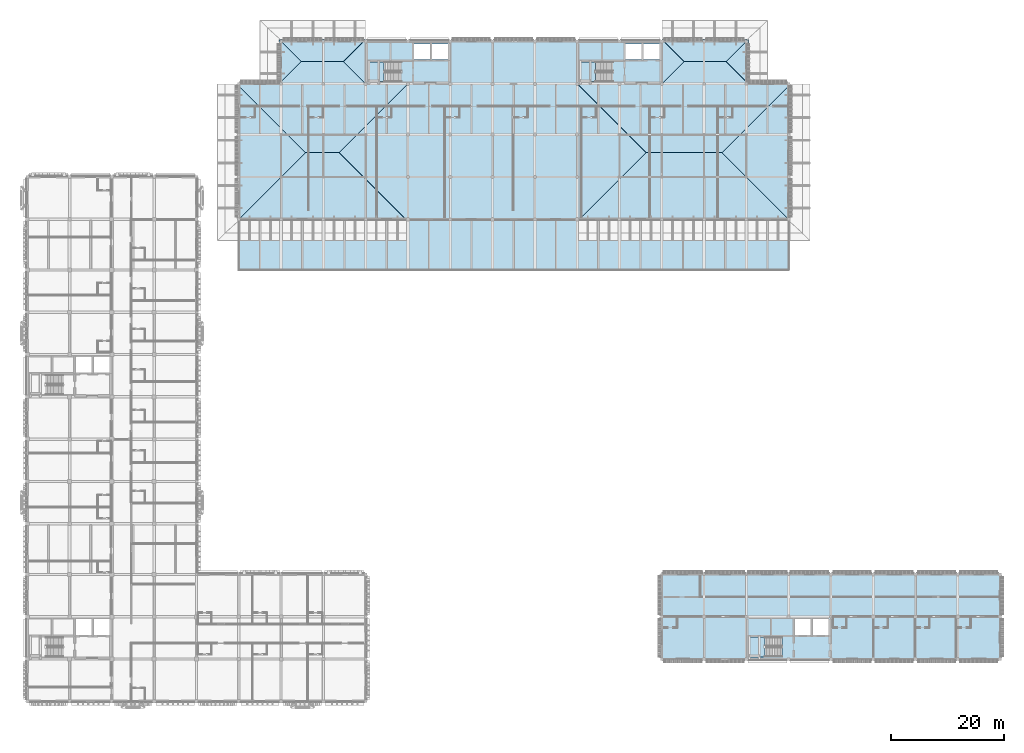
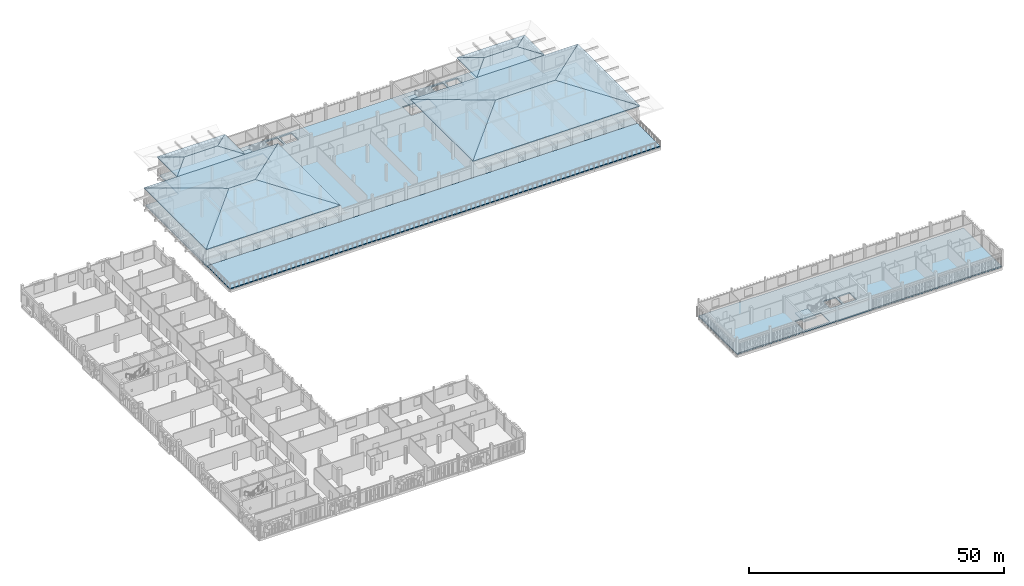
# One storey, part 14 of 48: 22 slabs, 7 elements without a shape of their own.
"""IFC4 building model written with IfcOpenShell, lengths in metres."""

from ifc_helpers import new_model, si_unit, direction, frame, origin, place, context, subcontext, project, spatial, polyline, outline, extrude, material, layer, layer_set, type_object, element, aggregate, save


model = new_model("IFC4")

# Units and contexts
model_context = context("Model", 3, precision=1e-05, world=origin(), true_north=direction((0.0, 1.0)))
body_context = subcontext(model_context, "Body", "Model", "MODEL_VIEW")
ifc_project = project(units=[si_unit("LENGTHUNIT", "METRE"), si_unit("AREAUNIT", "SQUARE_METRE"), si_unit("VOLUMEUNIT", "CUBIC_METRE"), si_unit("PLANEANGLEUNIT", "RADIAN"), si_unit("MASSUNIT", "GRAM", prefix="KILO")], contexts=[model_context])

# Site, building, storey
site_placement = place(None, origin())
site = spatial("IfcSite", under=ifc_project, at=site_placement, CompositionType="ELEMENT")
building_placement = place(site_placement, origin())
building = spatial("IfcBuilding", under=site, at=building_placement, Name="Dalvernix Boulevard General Hospital", CompositionType="ELEMENT")
storey_placement = place(building_placement, frame((0.0, 0.0, 17.85009765625)))
storey = spatial("IfcBuildingStorey", under=building, at=storey_placement, Name="L04", CompositionType="ELEMENT", Elevation=17.85009765625)

# Slabs
ifc_material_1 = material(Name="Concrete C35/45", Category="concrete")
ifc_layer_1 = layer(ifc_material_1, 0.280029296875)
ifc_layer_set_1 = layer_set([ifc_layer_1], Name="Concrete C35/45 (SLB-FS-04)")
slab_type_1 = type_object("IfcSlabType", Name="SLB-FS-04", PredefinedType="FLOOR", material=ifc_layer_set_1)
slab_1_placement = place(storey_placement, frame((0.0, 0.0, -0.280029296875)))
element("IfcSlab", 1, at=slab_1_placement, inside=storey, type_object=slab_type_1, Name="L04 V3 structural floor slab 1", PredefinedType="FLOOR", context=body_context, shape_type="SweptSolid", body=[
    extrude(outline(polyline([(37.5, 109.5), (45.0, 109.5), (45.0, 117.0), (52.5, 117.0), (60.0, 117.0), (67.5, 117.0), (75.0, 117.0), (82.5, 117.0), (90.0, 117.0), (97.5, 117.0), (105.0, 117.0), (112.5, 117.0), (120.0, 117.0), (127.5, 117.0), (127.5, 109.5), (135.0, 109.5), (135.0, 100.5), (135.0, 93.0), (135.0, 85.5), (127.5, 85.5), (120.0, 85.5), (112.5, 85.5), (105.0, 85.5), (97.5, 85.5), (90.0, 85.5), (82.5, 85.5), (75.0, 85.5), (67.5, 85.5), (60.0, 85.5), (52.5, 85.5), (45.0, 85.5), (37.5, 85.5), (37.5, 93.0), (37.5, 100.5), (37.5, 109.5)]), holes=[polyline([(60.39990234375, 113.39990234375), (60.39990234375, 109.89990234375), (66.2900390625, 109.89990234375), (66.2900390625, 113.39990234375), (60.39990234375, 113.39990234375)]), polyline([(71.39990234375, 116.60009765625), (68.60009765625, 116.60009765625), (68.60009765625, 113.800048828125), (71.39990234375, 113.800048828125), (71.39990234375, 116.60009765625)]), polyline([(74.60009765625, 113.800048828125), (74.60009765625, 116.60009765625), (71.800048828125, 116.60009765625), (71.800048828125, 113.800048828125), (74.60009765625, 113.800048828125)]), polyline([(97.89990234375, 109.89990234375), (103.7900390625, 109.89990234375), (103.7900390625, 113.39990234375), (97.89990234375, 113.39990234375), (97.89990234375, 109.89990234375)]), polyline([(106.10009765625, 116.60009765625), (106.10009765625, 113.800048828125), (108.89990234375, 113.800048828125), (108.89990234375, 116.60009765625), (106.10009765625, 116.60009765625)]), polyline([(112.10009765625, 116.60009765625), (109.300048828125, 116.60009765625), (109.300048828125, 113.800048828125), (112.10009765625, 113.800048828125), (112.10009765625, 116.60009765625)])]), origin(), (0.0, 0.0, 1.0), 0.280029296875),
])
slab_2_placement = place(storey_placement, frame((0.0, 0.0, -0.280029296875)))
element("IfcSlab", 2, at=slab_2_placement, inside=storey, type_object=slab_type_1, Name="L04 V5 structural floor slab 1", PredefinedType="FLOOR", context=body_context, shape_type="SweptSolid", body=[
    extrude(outline(polyline([(112.5, 7.5), (112.5, 15.0), (112.5, 22.5), (120.0, 22.5), (127.5, 22.5), (135.0, 22.5), (142.5, 22.5), (150.0, 22.5), (157.5, 22.5), (165.0, 22.5), (172.5, 22.5), (172.5, 15.0), (172.5, 7.5), (165.0, 7.5), (157.5, 7.5), (150.0, 7.5), (142.5, 7.5), (135.0, 7.5), (127.5, 7.5), (120.0, 7.5), (112.5, 7.5)]), holes=[polyline([(127.89990234375, 7.89990234375), (133.7900390625, 7.89990234375), (133.7900390625, 11.39990234375), (127.89990234375, 11.39990234375), (127.89990234375, 7.89990234375)]), polyline([(136.10009765625, 14.60009765625), (136.10009765625, 11.800048828125), (138.89990234375, 11.800048828125), (138.89990234375, 14.60009765625), (136.10009765625, 14.60009765625)]), polyline([(142.10009765625, 14.60009765625), (139.300048828125, 14.60009765625), (139.300048828125, 11.800048828125), (142.10009765625, 11.800048828125), (142.10009765625, 14.60009765625)])]), origin(), (0.0, 0.0, 1.0), 0.280029296875),
])

# Stair, slab
ifc_material_2 = material(Name="Precast concrete C40/50", Category="concrete")
stair_type = type_object("IfcStairType", Name="IFCSTAIR-STC-165x405", PredefinedType="HALF_TURN_STAIR", material=ifc_material_2)
stair_1_placement = place(storey_placement, origin())
stair_1 = element("IfcStair", 3, at=stair_1_placement, inside=storey, type_object=stair_type, Name="L04 Core C3 Exit Stair ST-03", PredefinedType="HALF_TURN_STAIR")
ifc_layer_2 = layer(ifc_material_2, 0.199951171875)
ifc_layer_set_2 = layer_set([ifc_layer_2], Name="Precast concrete C40/50 (SLB-LND-01)")
slab_type_2 = type_object("IfcSlabType", Name="SLB-LND-01", PredefinedType="LANDING", material=ifc_layer_set_2)
slab_3_placement = place(storey_placement, frame((0.0, 0.0, 1.824951171875)))
slab_3 = element("IfcSlab", 4, at=slab_3_placement, type_object=slab_type_2, Name="ST-03 landing 1", PredefinedType="LANDING", context=body_context, shape_type="SweptSolid", body=[
    extrude(outline(polyline([(63.27001953125, 113.39990234375), (60.39990234375, 113.39990234375), (60.39990234375, 109.89990234375), (63.27001953125, 109.89990234375), (63.27001953125, 113.39990234375)])), origin(), (0.0, 0.0, 1.0), 0.199951171875),
])
aggregate(stair_1, [slab_3])

stair_2_placement = place(storey_placement, origin())
stair_2 = element("IfcStair", 5, at=stair_2_placement, inside=storey, type_object=stair_type, Name="L04 Core C4 Exit Stair ST-04", PredefinedType="HALF_TURN_STAIR")
slab_4_placement = place(storey_placement, frame((0.0, 0.0, 1.824951171875)))
slab_4 = element("IfcSlab", 6, at=slab_4_placement, type_object=slab_type_2, Name="ST-04 landing 1", PredefinedType="LANDING", context=body_context, shape_type="SweptSolid", body=[
    extrude(outline(polyline([(100.77001953125, 113.39990234375), (97.89990234375, 113.39990234375), (97.89990234375, 109.89990234375), (100.77001953125, 109.89990234375), (100.77001953125, 113.39990234375)])), origin(), (0.0, 0.0, 1.0), 0.199951171875),
])
aggregate(stair_2, [slab_4])

stair_3_placement = place(storey_placement, origin())
stair_3 = element("IfcStair", 7, at=stair_3_placement, inside=storey, type_object=stair_type, Name="L04 Core C5 Exit Stair ST-05", PredefinedType="HALF_TURN_STAIR")
slab_5_placement = place(storey_placement, frame((0.0, 0.0, 1.824951171875)))
slab_5 = element("IfcSlab", 8, at=slab_5_placement, type_object=slab_type_2, Name="ST-05 landing 1", PredefinedType="LANDING", context=body_context, shape_type="SweptSolid", body=[
    extrude(outline(polyline([(130.77001953125, 11.39990234375), (127.89990234375, 11.39990234375), (127.89990234375, 7.89990234375), (130.77001953125, 7.89990234375), (130.77001953125, 11.39990234375)])), origin(), (0.0, 0.0, 1.0), 0.199951171875),
])
aggregate(stair_3, [slab_5])

# Roof, slabs
ifc_material_3 = material(Name="Polychrome Catalan glazed terracotta tile roof system", Category="masonry")
roof_type = type_object("IfcRoofType", Name="ROOF-HIP-01", PredefinedType="HIP_ROOF", material=ifc_material_3)
roof_1_placement = place(storey_placement, origin())
roof_1 = element("IfcRoof", 9, at=roof_1_placement, inside=storey, type_object=roof_type, Name="V3W Hipped Ceramic Roof", PredefinedType="HIP_ROOF")
ifc_layer_3 = layer(ifc_material_1, 0.179931640625)
ifc_layer_set_3 = layer_set([ifc_layer_3], Name="Concrete C35/45 (SLB-RS-03)")
slab_type_3 = type_object("IfcSlabType", Name="SLB-RS-03", PredefinedType="ROOF", material=ifc_layer_set_3)
slab_6_placement = place(storey_placement, frame((37.10009765625, 85.10009765625, 4.27001953125), z_axis=(0.0, -0.238532452459, 0.97113452679), x_axis=(1.0, 0.0, 0.0)))
slab_6 = element("IfcSlab", 10, at=slab_6_placement, type_object=slab_type_3, Name="V3W hipped roof slab S", PredefinedType="ROOF", context=body_context, shape_type="SweptSolid", body=[
    extrude(outline(polyline([(0.0, 0.0), (30.39990234375, 0.0), (18.199951171875, 12.562575869070187), (12.199951171875, 12.562575869070187), (0.0, 0.0)])), origin(), (0.0, 0.0, -1.0), 0.179931640625),
])
slab_7_placement = place(storey_placement, frame((67.5, 109.5, 4.27001953125), z_axis=(0.0, 0.238532452459, 0.97113452679), x_axis=(-1.0, 0.0, 0.0)))
slab_7 = element("IfcSlab", 11, at=slab_7_placement, type_object=slab_type_3, Name="V3W hipped roof slab N", PredefinedType="ROOF", context=body_context, shape_type="SweptSolid", body=[
    extrude(outline(polyline([(0.0, 0.0), (30.39990234375, 0.0), (18.199951171875, 12.562575869070187), (12.199951171875, 12.562575869070187), (0.0, 0.0)])), origin(), (0.0, 0.0, -1.0), 0.179931640625),
])
slab_8_placement = place(storey_placement, frame((37.10009765625, 109.5, 4.27001953125), z_axis=(-0.238532452459, 0.0, 0.97113452679), x_axis=(0.0, -1.0, 0.0)))
slab_8 = element("IfcSlab", 12, at=slab_8_placement, type_object=slab_type_3, Name="V3W hipped roof slab W", PredefinedType="ROOF", context=body_context, shape_type="SweptSolid", body=[
    extrude(outline(polyline([(0.0, 0.0), (24.39990234375, 0.0), (12.199951171875, 12.562575869070187), (0.0, 0.0)])), origin(), (0.0, 0.0, -1.0), 0.179931640625),
])
slab_9_placement = place(storey_placement, frame((67.5, 85.10009765625, 4.27001953125), z_axis=(0.238532452459, 0.0, 0.97113452679), x_axis=(0.0, 1.0, 0.0)))
slab_9 = element("IfcSlab", 13, at=slab_9_placement, type_object=slab_type_3, Name="V3W hipped roof slab E", PredefinedType="ROOF", context=body_context, shape_type="SweptSolid", body=[
    extrude(outline(polyline([(0.0, 0.0), (24.39990234375, 0.0), (12.199951171875, 12.562575869070187), (0.0, 0.0)])), origin(), (0.0, 0.0, -1.0), 0.179931640625),
])
aggregate(roof_1, [slab_6, slab_7, slab_8, slab_9])

roof_2_placement = place(storey_placement, origin())
roof_2 = element("IfcRoof", 14, at=roof_2_placement, inside=storey, type_object=roof_type, Name="V3NW Hipped Ceramic Roof", PredefinedType="HIP_ROOF")
slab_10_placement = place(storey_placement, frame((44.60009765625, 109.5, 4.27001953125), z_axis=(0.0, -0.238480042853, 0.971147398267), x_axis=(1.0, 0.0, 0.0)))
slab_10 = element("IfcSlab", 15, at=slab_10_placement, type_object=slab_type_3, Name="V3NW hipped roof slab S", PredefinedType="ROOF", context=body_context, shape_type="SweptSolid", body=[
    extrude(outline(polyline([(0.0, 0.0), (15.39990234375, 0.0), (11.449951171875, 4.067303458695638), (3.949951171875, 4.067303458695638), (0.0, 0.0)])), origin(), (0.0, 0.0, -1.0), 0.179931640625),
])
slab_11_placement = place(storey_placement, frame((60.0, 117.39990234375, 4.27001953125), z_axis=(0.0, 0.238480042853, 0.971147398267), x_axis=(-1.0, 0.0, 0.0)))
slab_11 = element("IfcSlab", 16, at=slab_11_placement, type_object=slab_type_3, Name="V3NW hipped roof slab N", PredefinedType="ROOF", context=body_context, shape_type="SweptSolid", body=[
    extrude(outline(polyline([(0.0, 0.0), (15.39990234375, 0.0), (11.449951171875, 4.067303458695638), (3.949951171875, 4.067303458695638), (0.0, 0.0)])), origin(), (0.0, 0.0, -1.0), 0.179931640625),
])
slab_12_placement = place(storey_placement, frame((44.60009765625, 117.39990234375, 4.27001953125), z_axis=(-0.238480042853, 0.0, 0.971147398267), x_axis=(0.0, -1.0, 0.0)))
slab_12 = element("IfcSlab", 17, at=slab_12_placement, type_object=slab_type_3, Name="V3NW hipped roof slab W", PredefinedType="ROOF", context=body_context, shape_type="SweptSolid", body=[
    extrude(outline(polyline([(0.0, 0.0), (7.89990234375, 0.0), (3.949951171875, 4.067303458695638), (0.0, 0.0)])), origin(), (0.0, 0.0, -1.0), 0.179931640625),
])
slab_13_placement = place(storey_placement, frame((60.0, 109.5, 4.27001953125), z_axis=(0.238480042853, 0.0, 0.971147398267), x_axis=(0.0, 1.0, 0.0)))
slab_13 = element("IfcSlab", 18, at=slab_13_placement, type_object=slab_type_3, Name="V3NW hipped roof slab E", PredefinedType="ROOF", context=body_context, shape_type="SweptSolid", body=[
    extrude(outline(polyline([(0.0, 0.0), (7.89990234375, 0.0), (3.949951171875, 4.067303458695638), (0.0, 0.0)])), origin(), (0.0, 0.0, -1.0), 0.179931640625),
])
aggregate(roof_2, [slab_10, slab_11, slab_12, slab_13])

roof_3_placement = place(storey_placement, origin())
roof_3 = element("IfcRoof", 19, at=roof_3_placement, inside=storey, type_object=roof_type, Name="V3E Hipped Ceramic Roof", PredefinedType="HIP_ROOF")
slab_14_placement = place(storey_placement, frame((97.5, 85.10009765625, 4.27001953125), z_axis=(0.0, -0.238532452459, 0.97113452679), x_axis=(1.0, 0.0, 0.0)))
slab_14 = element("IfcSlab", 20, at=slab_14_placement, type_object=slab_type_3, Name="V3E hipped roof slab S", PredefinedType="ROOF", context=body_context, shape_type="SweptSolid", body=[
    extrude(outline(polyline([(0.0, 0.0), (37.89990234375, 0.0), (25.699951171875, 12.562575869070187), (12.199951171875, 12.562575869070187), (0.0, 0.0)])), origin(), (0.0, 0.0, -1.0), 0.179931640625),
])
slab_15_placement = place(storey_placement, frame((135.39990234375, 109.5, 4.27001953125), z_axis=(0.0, 0.238532452459, 0.97113452679), x_axis=(-1.0, 0.0, 0.0)))
slab_15 = element("IfcSlab", 21, at=slab_15_placement, type_object=slab_type_3, Name="V3E hipped roof slab N", PredefinedType="ROOF", context=body_context, shape_type="SweptSolid", body=[
    extrude(outline(polyline([(0.0, 0.0), (37.89990234375, 0.0), (25.699951171875, 12.562575869070187), (12.199951171875, 12.562575869070187), (0.0, 0.0)])), origin(), (0.0, 0.0, -1.0), 0.179931640625),
])
slab_16_placement = place(storey_placement, frame((97.5, 109.5, 4.27001953125), z_axis=(-0.238532452459, 0.0, 0.97113452679), x_axis=(0.0, -1.0, 0.0)))
slab_16 = element("IfcSlab", 22, at=slab_16_placement, type_object=slab_type_3, Name="V3E hipped roof slab W", PredefinedType="ROOF", context=body_context, shape_type="SweptSolid", body=[
    extrude(outline(polyline([(0.0, 0.0), (24.39990234375, 0.0), (12.199951171875, 12.562575869070187), (0.0, 0.0)])), origin(), (0.0, 0.0, -1.0), 0.179931640625),
])
slab_17_placement = place(storey_placement, frame((135.39990234375, 85.10009765625, 4.27001953125), z_axis=(0.238532452459, 0.0, 0.97113452679), x_axis=(0.0, 1.0, 0.0)))
slab_17 = element("IfcSlab", 23, at=slab_17_placement, type_object=slab_type_3, Name="V3E hipped roof slab E", PredefinedType="ROOF", context=body_context, shape_type="SweptSolid", body=[
    extrude(outline(polyline([(0.0, 0.0), (24.39990234375, 0.0), (12.199951171875, 12.562575869070187), (0.0, 0.0)])), origin(), (0.0, 0.0, -1.0), 0.179931640625),
])
aggregate(roof_3, [slab_14, slab_15, slab_16, slab_17])

roof_4_placement = place(storey_placement, origin())
roof_4 = element("IfcRoof", 24, at=roof_4_placement, inside=storey, type_object=roof_type, Name="V3NE Hipped Ceramic Roof", PredefinedType="HIP_ROOF")
slab_18_placement = place(storey_placement, frame((112.5, 109.5, 4.27001953125), z_axis=(0.0, -0.238480042853, 0.971147398267), x_axis=(1.0, 0.0, 0.0)))
slab_18 = element("IfcSlab", 25, at=slab_18_placement, type_object=slab_type_3, Name="V3NE hipped roof slab S", PredefinedType="ROOF", context=body_context, shape_type="SweptSolid", body=[
    extrude(outline(polyline([(0.0, 0.0), (15.39990234375, 0.0), (11.449951171875, 4.067303458695638), (3.949951171875, 4.067303458695638), (0.0, 0.0)])), origin(), (0.0, 0.0, -1.0), 0.179931640625),
])
slab_19_placement = place(storey_placement, frame((127.89990234375, 117.39990234375, 4.27001953125), z_axis=(0.0, 0.238480042853, 0.971147398267), x_axis=(-1.0, 0.0, 0.0)))
slab_19 = element("IfcSlab", 26, at=slab_19_placement, type_object=slab_type_3, Name="V3NE hipped roof slab N", PredefinedType="ROOF", context=body_context, shape_type="SweptSolid", body=[
    extrude(outline(polyline([(0.0, 0.0), (15.39990234375, 0.0), (11.449951171875, 4.067303458695638), (3.949951171875, 4.067303458695638), (0.0, 0.0)])), origin(), (0.0, 0.0, -1.0), 0.179931640625),
])
slab_20_placement = place(storey_placement, frame((112.5, 117.39990234375, 4.27001953125), z_axis=(-0.238480042853, 0.0, 0.971147398267), x_axis=(0.0, -1.0, 0.0)))
slab_20 = element("IfcSlab", 27, at=slab_20_placement, type_object=slab_type_3, Name="V3NE hipped roof slab W", PredefinedType="ROOF", context=body_context, shape_type="SweptSolid", body=[
    extrude(outline(polyline([(0.0, 0.0), (7.89990234375, 0.0), (3.949951171875, 4.067303458695638), (0.0, 0.0)])), origin(), (0.0, 0.0, -1.0), 0.179931640625),
])
slab_21_placement = place(storey_placement, frame((127.89990234375, 109.5, 4.27001953125), z_axis=(0.238480042853, 0.0, 0.971147398267), x_axis=(0.0, 1.0, 0.0)))
slab_21 = element("IfcSlab", 28, at=slab_21_placement, type_object=slab_type_3, Name="V3NE hipped roof slab E", PredefinedType="ROOF", context=body_context, shape_type="SweptSolid", body=[
    extrude(outline(polyline([(0.0, 0.0), (7.89990234375, 0.0), (3.949951171875, 4.067303458695638), (0.0, 0.0)])), origin(), (0.0, 0.0, -1.0), 0.179931640625),
])
aggregate(roof_4, [slab_18, slab_19, slab_20, slab_21])

# Slab
ifc_layer_4 = layer(ifc_material_1, 0.239990234375)
ifc_layer_set_4 = layer_set([ifc_layer_4], Name="Concrete C35/45 (SLB-TS-01)")
slab_type_4 = type_object("IfcSlabType", Name="SLB-TS-01", PredefinedType="FLOOR", material=ifc_layer_set_4)
slab_22_placement = place(storey_placement, frame((0.0, 0.0, -0.239990234375)))
element("IfcSlab", 29, at=slab_22_placement, inside=storey, type_object=slab_type_4, Name="L04 walkable ward roof terrace 1", PredefinedType="FLOOR", context=body_context, shape_type="SweptSolid", body=[
    extrude(outline(polyline([(45.0, 85.5), (52.5, 85.5), (60.0, 85.5), (67.5, 85.5), (75.0, 85.5), (82.5, 85.5), (90.0, 85.5), (97.5, 85.5), (105.0, 85.5), (112.5, 85.5), (120.0, 85.5), (127.5, 85.5), (135.0, 85.5), (135.0, 76.5), (127.5, 76.5), (120.0, 76.5), (112.5, 76.5), (105.0, 76.5), (97.5, 76.5), (90.0, 76.5), (82.5, 76.5), (75.0, 76.5), (67.5, 76.5), (60.0, 76.5), (52.5, 76.5), (45.0, 76.5), (37.5, 76.5), (37.5, 85.5), (45.0, 85.5)])), origin(), (0.0, 0.0, 1.0), 0.239990234375),
])

save(model, "model.ifc")
